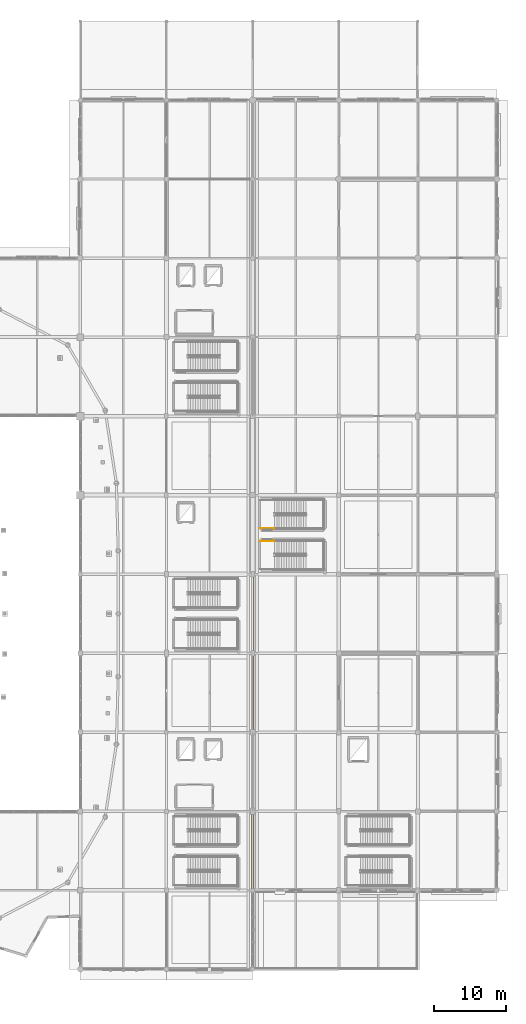
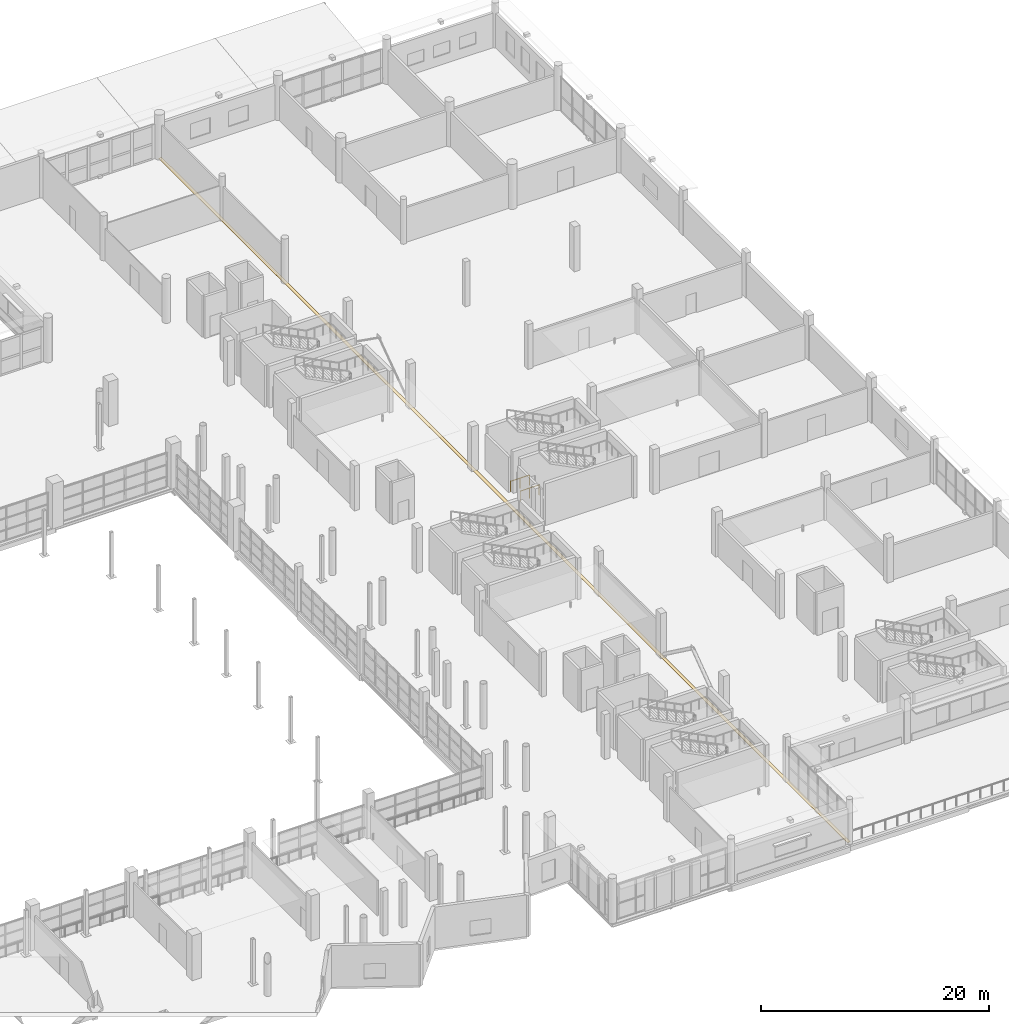
# One storey, part 137 of 143: 2 railings, 1 covering.
"""IFC4 building model written with IfcOpenShell, lengths in metres."""

import ifcopenshell
import ifcopenshell.guid

model = None  # the IFC model being written
_history = None  # IfcOwnerHistory: only IFC2X3 demands one
_inside = {}  # id of a spatial element -> (the spatial element, [elements in it])
_under = {}  # id of a project, library or spatial element -> (it, [spatial elements below it])
_declared = {}  # id of a project -> (the project, [libraries it declares])
_typed = {}  # id of a type object -> (the type object, [elements of that type])
_made_of = {}  # id of a material, layer set ... -> (it, [elements and type objects made of it])


def new_model(schema):
    """Start an empty IFC model of exactly this schema.

    Asked for "IFC4X3", IfcOpenShell would pick the latest addendum, in which some entities
    have other attributes; the version numbers below select the first issue.
    IFC2X3 requires an IfcOwnerHistory on every rooted entity: one is made here for all.
    """
    global model, _history
    if schema == "IFC4X3":
        model = ifcopenshell.file(schema_version=(4, 3, 0, 0))
    else:
        model = ifcopenshell.file(schema=schema)
    _inside.clear()
    _under.clear()
    _declared.clear()
    _typed.clear()
    _made_of.clear()
    _history = None
    if model.schema == "IFC2X3":
        org = make("IfcOrganization", Name="unknown")
        user = make(
            "IfcPersonAndOrganization",
            ThePerson=make("IfcPerson", FamilyName="unknown"),
            TheOrganization=org,
        )
        app = make(
            "IfcApplication",
            ApplicationDeveloper=org,
            Version="unknown",
            ApplicationFullName="unknown",
            ApplicationIdentifier="unknown",
        )
        _history = make(
            "IfcOwnerHistory",
            OwningUser=user,
            OwningApplication=app,
            ChangeAction="ADDED",
            CreationDate=0,
        )
    return model


def make(cls, **values):
    """One entity of the class cls with the attributes given. An attribute that is None is left unset."""
    return model.create_entity(
        cls, **{name: value for name, value in values.items() if value is not None}
    )


def rooted(cls, **values):
    """An entity with a GlobalId (a new one), such as an element, a storey or a relation."""
    return make(cls, GlobalId=ifcopenshell.guid.new(), OwnerHistory=_history, **values)


def si_unit(unit_type, name, prefix=None):
    """IfcSIUnit, for example si_unit("LENGTHUNIT", "METRE", prefix="MILLI")."""
    return make("IfcSIUnit", UnitType=unit_type, Prefix=prefix, Name=name)


def assignment(units):
    """IfcUnitAssignment: the units of a project."""
    return None if units is None else make("IfcUnitAssignment", Units=units)


def point(xyz):
    """IfcCartesianPoint."""
    return None if xyz is None else make("IfcCartesianPoint", Coordinates=xyz)


def direction(xyz):
    """IfcDirection."""
    return None if xyz is None else make("IfcDirection", DirectionRatios=xyz)


def frame(location, z_axis=None, x_axis=None):
    """IfcAxis2Placement3D, a coordinate frame: its origin and axes. An axis left out is left unset."""
    return make(
        "IfcAxis2Placement3D",
        Location=point(location),
        Axis=direction(z_axis),
        RefDirection=direction(x_axis),
    )


def frame_2d(location, x_axis=None):
    """IfcAxis2Placement2D, a coordinate frame in the plane: its origin and x axis."""
    return make(
        "IfcAxis2Placement2D", Location=point(location), RefDirection=direction(x_axis)
    )


def origin():
    """The frame at (0, 0, 0) with its axes left unset."""
    return frame((0.0, 0.0, 0.0))


def origin_2d():
    """The frame at (0, 0) in the plane with its x axis left unset."""
    return frame_2d((0.0, 0.0))


def place(relative_to, where):
    """IfcLocalPlacement: puts the frame where relative to a parent placement (None: the world)."""
    return make(
        "IfcLocalPlacement", PlacementRelTo=relative_to, RelativePlacement=where
    )


def context(
    kind, dimensions, precision=None, world=None, true_north=None, identifier=None
):
    """IfcGeometricRepresentationContext, for example the 3D "Model" context."""
    return make(
        "IfcGeometricRepresentationContext",
        ContextIdentifier=identifier,
        ContextType=kind,
        CoordinateSpaceDimension=dimensions,
        Precision=precision,
        WorldCoordinateSystem=world,
        TrueNorth=true_north,
    )


def subcontext(parent, identifier, kind, view, scale=None):
    """IfcGeometricRepresentationSubContext, for example "Body" below "Model"."""
    return make(
        "IfcGeometricRepresentationSubContext",
        ContextIdentifier=identifier,
        ContextType=kind,
        ParentContext=parent,
        TargetScale=scale,
        TargetView=view,
    )


def project(units=None, contexts=None):
    """IfcProject with its units and contexts."""
    return rooted(
        "IfcProject",
        Name="project",
        RepresentationContexts=contexts,
        UnitsInContext=assignment(units),
    )


def spatial(cls, under=None, at=None, **own):
    """A site, building, storey or space (cls), placed at a placement, below another one or the project."""
    s = rooted(cls, ObjectPlacement=at, **own)
    if under is not None:
        _under.setdefault(under.id(), (under, []))[1].append(s)
    return s


def profile(cls, at=None, kind="AREA", **sizes):
    """A parametric profile (cls). Its sizes go by their IFC names, for example OverallWidth=200.0."""
    return make(cls, ProfileType=kind, Position=at, **sizes)


def rectangle(**sizes):
    """IfcRectangleProfileDef."""
    return profile("IfcRectangleProfileDef", **sizes)


def circle(**sizes):
    """IfcCircleProfileDef."""
    return profile("IfcCircleProfileDef", **sizes)


def extrude(swept, where, along, depth):
    """IfcExtrudedAreaSolid: the profile swept, set in the frame where, extruded along a direction by depth."""
    return make(
        "IfcExtrudedAreaSolid",
        SweptArea=swept,
        Position=where,
        ExtrudedDirection=direction(along),
        Depth=depth,
    )


def shape(context_of_items, identifier, shape_type, items):
    """IfcShapeRepresentation: the items that make up one representation, for example the "Body"."""
    return make(
        "IfcShapeRepresentation",
        ContextOfItems=context_of_items,
        RepresentationIdentifier=identifier,
        RepresentationType=shape_type,
        Items=items,
    )


def material(Name=None, Category=None):
    """IfcMaterial."""
    return make("IfcMaterial", Name=Name, Category=Category)


def layer(
    of_material, thickness, ventilated=None, Name=None, Category=None, Priority=None
):
    """IfcMaterialLayer: one layer of a wall or slab, of a material (None: an air gap)."""
    return make(
        "IfcMaterialLayer",
        Material=of_material,
        LayerThickness=thickness,
        IsVentilated=ventilated,
        Name=Name,
        Category=Category,
        Priority=Priority,
    )


def layer_set(layers, Name=None):
    """IfcMaterialLayerSet."""
    return make("IfcMaterialLayerSet", MaterialLayers=layers, LayerSetName=Name)


def made_of(thing, what):
    """Note that an element or type object is made of a material, layer set ...; save() writes the relation."""
    if what is not None:
        _made_of.setdefault(what.id(), (what, []))[1].append(thing)
    return thing


def type_object(cls, material=None, **own):
    """A type object (cls), such as IfcWallType, which elements share."""
    return made_of(rooted(cls, **own), material)


def element(
    cls,
    number,
    at=None,
    inside=None,
    cuts=None,
    type_object=None,
    material=None,
    context=None,
    identifier="Body",
    shape_type=None,
    held_by="IfcProductDefinitionShape",
    body=None,
    shapes=None,
    **own,
):
    """One element of the class cls, such as IfcWall. Its Tag is "e" and its number.

    at: its placement. inside: the storey or other place that contains it. cuts: it is an
    opening in that element (IfcRelVoidsElement). A single representation is given by context,
    identifier, shape_type and body (its items); several are given by shapes. held_by: the class
    of the entity that holds the representations. save() writes the other relations.
    """
    e = rooted(cls, Tag="e%d" % number, ObjectPlacement=at, **own)
    if body is not None:
        shapes = [shape(context, identifier, shape_type, body)]
    if shapes is not None:
        e.Representation = make(held_by, Representations=shapes)
    if inside is not None:
        _inside.setdefault(inside.id(), (inside, []))[1].append(e)
    if cuts is not None:
        rooted(
            "IfcRelVoidsElement", RelatingBuildingElement=cuts, RelatedOpeningElement=e
        )
    if type_object is not None:
        _typed.setdefault(type_object.id(), (type_object, []))[1].append(e)
    return made_of(e, material)


def aggregate(whole, parts):
    """IfcRelAggregates: a whole, such as a stair, and the parts it consists of."""
    return rooted("IfcRelAggregates", RelatingObject=whole, RelatedObjects=parts)


def save(model, path):
    """Write the relations noted so far, then the file.

    IfcRelAggregates (storeys below a building ...), IfcRelContainedInSpatialStructure (elements
    in a storey), IfcRelDefinesByType, IfcRelAssociatesMaterial and IfcRelDeclares: one each for
    every whole, place, type object, material and project.
    """
    for whole, parts in _under.values():
        aggregate(whole, parts)
    for where, things in _inside.values():
        rooted(
            "IfcRelContainedInSpatialStructure",
            RelatedElements=things,
            RelatingStructure=where,
        )
    for kind, things in _typed.values():
        rooted("IfcRelDefinesByType", RelatedObjects=things, RelatingType=kind)
    for what, things in _made_of.values():
        rooted("IfcRelAssociatesMaterial", RelatedObjects=things, RelatingMaterial=what)
    for by, libraries in _declared.values():
        rooted("IfcRelDeclares", RelatingContext=by, RelatedDefinitions=libraries)
    model.write(path)


model = new_model("IFC4")

# Units and contexts
model_context = context("Model", 3, precision=1e-05, world=origin(), true_north=direction((0.0, 1.0)))
body_context = subcontext(model_context, "Body", "Model", "MODEL_VIEW")
ifc_project = project(units=[si_unit("LENGTHUNIT", "METRE"), si_unit("AREAUNIT", "SQUARE_METRE"), si_unit("VOLUMEUNIT", "CUBIC_METRE"), si_unit("PLANEANGLEUNIT", "RADIAN"), si_unit("MASSUNIT", "GRAM", prefix="KILO")], contexts=[model_context])

# Site, building, storey
site_placement = place(None, origin())
site = spatial("IfcSite", under=ifc_project, at=site_placement, CompositionType="ELEMENT")
building_placement = place(site_placement, origin())
building = spatial("IfcBuilding", under=site, at=building_placement, Name="Luwafu Chhajja Arena", CompositionType="ELEMENT")
storey_placement = place(building_placement, frame((0.0, 0.0, 5.39990234375)))
storey = spatial("IfcBuildingStorey", under=building, at=storey_placement, Name="L01", CompositionType="ELEMENT", Elevation=5.39990234375)

# Covering
ifc_material_1 = material(Name="Red laterite sandstone cladding", Category="masonry")
ifc_layer = layer(ifc_material_1, 0.074951171875, Name="Red laterite sandstone cladding")
ifc_layer_set = layer_set([ifc_layer], Name="Red laterite sandstone cladding")
covering_type = type_object("IfcCoveringType", Name="Dressed Red-Laterite Sandstone Cladding", PredefinedType="CLADDING", material=ifc_layer_set)
covering_placement = place(storey_placement, frame((164.0, 60.5, -0.02392578125), z_axis=(0.0, 0.0, 1.0), x_axis=(1.0, 0.0, 0.0)))
element("IfcCovering", 1, at=covering_placement, inside=storey, type_object=covering_type, Name="L01 Movement Joint MJ02 Flush Threshold Cover Plate 01", PredefinedType="CLADDING", context=body_context, shape_type="SweptSolid", body=[
    extrude(rectangle(XDim=0.320068359375, YDim=120.800048828125, at=origin_2d()), origin(), (0.0, 0.0, 1.0), 0.02392578125),
])

# Railings
ifc_material_2 = material(Name="Stainless steel balustrade", Category="steel")
railing_type = type_object("IfcRailingType", Name="Stair and Terrace Guard Balustrade 1100", PredefinedType="BALUSTRADE", material=ifc_material_2)
for number, where, name in (
    (2, (165.10009765625, 59.639892578125, 0.0), "L01 ST-19 stair guard 9"),
    (3, (165.10009765625, 61.360107421875, 0.0), "L01 ST-20 stair guard 8"),
):
    element("IfcRailing", number, at=place(storey_placement, frame(where)), inside=storey, type_object=railing_type, Name=name, PredefinedType="BALUSTRADE", context=body_context, shape_type="SweptSolid", body=[
        extrude(circle(Radius=0.02392578125, at=origin_2d()), frame((0.0, 0.0, 1.076171875), z_axis=(1.0, 0.0, 0.0), x_axis=(0.0, 1.0, 0.0)), (0.0, 0.0, 1.0), 1.919921875),
        extrude(circle(Radius=0.02099609375, at=origin_2d()), origin(), (0.0, 0.0, 1.0), 1.052001953125),
        extrude(circle(Radius=0.02099609375, at=origin_2d()), frame((0.9599609375, 0.0, 0.0)), (0.0, 0.0, 1.0), 1.052001953125),
        extrude(circle(Radius=0.02099609375, at=origin_2d()), frame((1.919921875, 0.0, 0.0)), (0.0, 0.0, 1.0), 1.052001953125),
    ])

save(model, "model.ifc")
